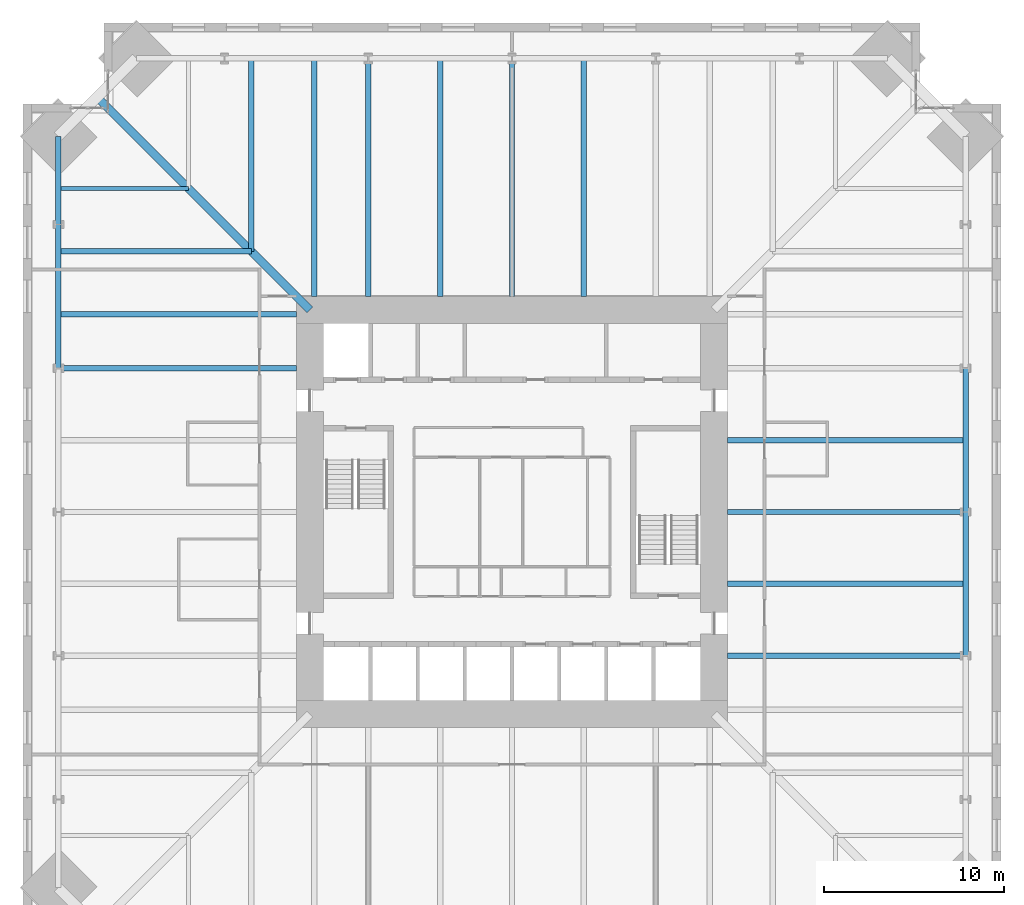
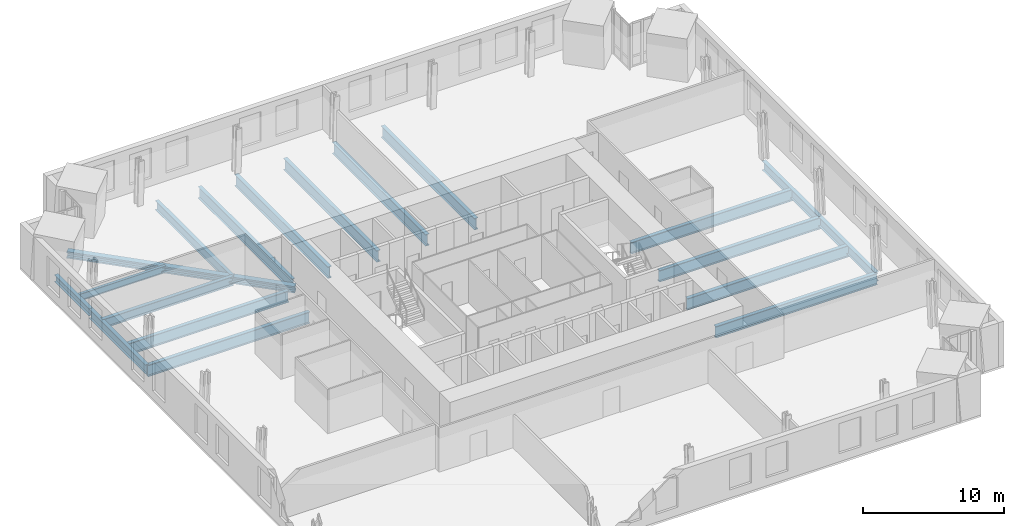
# One storey, part 5 of 16: 19 beams.
"""IFC4 building model written with IfcOpenShell, lengths in metres."""

import ifcopenshell
import ifcopenshell.guid

model = None  # the IFC model being written
_history = None  # IfcOwnerHistory: only IFC2X3 demands one
_inside = {}  # id of a spatial element -> (the spatial element, [elements in it])
_under = {}  # id of a project, library or spatial element -> (it, [spatial elements below it])
_declared = {}  # id of a project -> (the project, [libraries it declares])
_typed = {}  # id of a type object -> (the type object, [elements of that type])
_made_of = {}  # id of a material, layer set ... -> (it, [elements and type objects made of it])


def new_model(schema):
    """Start an empty IFC model of exactly this schema.

    Asked for "IFC4X3", IfcOpenShell would pick the latest addendum, in which some entities
    have other attributes; the version numbers below select the first issue.
    IFC2X3 requires an IfcOwnerHistory on every rooted entity: one is made here for all.
    """
    global model, _history
    if schema == "IFC4X3":
        model = ifcopenshell.file(schema_version=(4, 3, 0, 0))
    else:
        model = ifcopenshell.file(schema=schema)
    _inside.clear()
    _under.clear()
    _declared.clear()
    _typed.clear()
    _made_of.clear()
    _history = None
    if model.schema == "IFC2X3":
        org = make("IfcOrganization", Name="unknown")
        user = make(
            "IfcPersonAndOrganization",
            ThePerson=make("IfcPerson", FamilyName="unknown"),
            TheOrganization=org,
        )
        app = make(
            "IfcApplication",
            ApplicationDeveloper=org,
            Version="unknown",
            ApplicationFullName="unknown",
            ApplicationIdentifier="unknown",
        )
        _history = make(
            "IfcOwnerHistory",
            OwningUser=user,
            OwningApplication=app,
            ChangeAction="ADDED",
            CreationDate=0,
        )
    return model


def make(cls, **values):
    """One entity of the class cls with the attributes given. An attribute that is None is left unset."""
    return model.create_entity(
        cls, **{name: value for name, value in values.items() if value is not None}
    )


def rooted(cls, **values):
    """An entity with a GlobalId (a new one), such as an element, a storey or a relation."""
    return make(cls, GlobalId=ifcopenshell.guid.new(), OwnerHistory=_history, **values)


def si_unit(unit_type, name, prefix=None):
    """IfcSIUnit, for example si_unit("LENGTHUNIT", "METRE", prefix="MILLI")."""
    return make("IfcSIUnit", UnitType=unit_type, Prefix=prefix, Name=name)


def assignment(units):
    """IfcUnitAssignment: the units of a project."""
    return None if units is None else make("IfcUnitAssignment", Units=units)


def point(xyz):
    """IfcCartesianPoint."""
    return None if xyz is None else make("IfcCartesianPoint", Coordinates=xyz)


def direction(xyz):
    """IfcDirection."""
    return None if xyz is None else make("IfcDirection", DirectionRatios=xyz)


def frame(location, z_axis=None, x_axis=None):
    """IfcAxis2Placement3D, a coordinate frame: its origin and axes. An axis left out is left unset."""
    return make(
        "IfcAxis2Placement3D",
        Location=point(location),
        Axis=direction(z_axis),
        RefDirection=direction(x_axis),
    )


def frame_2d(location, x_axis=None):
    """IfcAxis2Placement2D, a coordinate frame in the plane: its origin and x axis."""
    return make(
        "IfcAxis2Placement2D", Location=point(location), RefDirection=direction(x_axis)
    )


def origin():
    """The frame at (0, 0, 0) with its axes left unset."""
    return frame((0.0, 0.0, 0.0))


def origin_2d():
    """The frame at (0, 0) in the plane with its x axis left unset."""
    return frame_2d((0.0, 0.0))


def place(relative_to, where):
    """IfcLocalPlacement: puts the frame where relative to a parent placement (None: the world)."""
    return make(
        "IfcLocalPlacement", PlacementRelTo=relative_to, RelativePlacement=where
    )


def context(
    kind, dimensions, precision=None, world=None, true_north=None, identifier=None
):
    """IfcGeometricRepresentationContext, for example the 3D "Model" context."""
    return make(
        "IfcGeometricRepresentationContext",
        ContextIdentifier=identifier,
        ContextType=kind,
        CoordinateSpaceDimension=dimensions,
        Precision=precision,
        WorldCoordinateSystem=world,
        TrueNorth=true_north,
    )


def subcontext(parent, identifier, kind, view, scale=None):
    """IfcGeometricRepresentationSubContext, for example "Body" below "Model"."""
    return make(
        "IfcGeometricRepresentationSubContext",
        ContextIdentifier=identifier,
        ContextType=kind,
        ParentContext=parent,
        TargetScale=scale,
        TargetView=view,
    )


def project(units=None, contexts=None):
    """IfcProject with its units and contexts."""
    return rooted(
        "IfcProject",
        Name="project",
        RepresentationContexts=contexts,
        UnitsInContext=assignment(units),
    )


def spatial(cls, under=None, at=None, **own):
    """A site, building, storey or space (cls), placed at a placement, below another one or the project."""
    s = rooted(cls, ObjectPlacement=at, **own)
    if under is not None:
        _under.setdefault(under.id(), (under, []))[1].append(s)
    return s


def profile(cls, at=None, kind="AREA", **sizes):
    """A parametric profile (cls). Its sizes go by their IFC names, for example OverallWidth=200.0."""
    return make(cls, ProfileType=kind, Position=at, **sizes)


def i_section(**sizes):
    """IfcIShapeProfileDef."""
    return profile("IfcIShapeProfileDef", **sizes)


def extrude(swept, where, along, depth):
    """IfcExtrudedAreaSolid: the profile swept, set in the frame where, extruded along a direction by depth."""
    return make(
        "IfcExtrudedAreaSolid",
        SweptArea=swept,
        Position=where,
        ExtrudedDirection=direction(along),
        Depth=depth,
    )


def shape(context_of_items, identifier, shape_type, items):
    """IfcShapeRepresentation: the items that make up one representation, for example the "Body"."""
    return make(
        "IfcShapeRepresentation",
        ContextOfItems=context_of_items,
        RepresentationIdentifier=identifier,
        RepresentationType=shape_type,
        Items=items,
    )


def material(Name=None, Category=None):
    """IfcMaterial."""
    return make("IfcMaterial", Name=Name, Category=Category)


def material_profile(
    of_material, cross_section, Name=None, Category=None, Priority=None
):
    """IfcMaterialProfile: a cross section and its material."""
    return make(
        "IfcMaterialProfile",
        Name=Name,
        Material=of_material,
        Profile=cross_section,
        Priority=Priority,
        Category=Category,
    )


def profile_set(profiles, Name=None, composite=None):
    """IfcMaterialProfileSet."""
    return make(
        "IfcMaterialProfileSet",
        Name=Name,
        MaterialProfiles=profiles,
        CompositeProfile=composite,
    )


def made_of(thing, what):
    """Note that an element or type object is made of a material, layer set ...; save() writes the relation."""
    if what is not None:
        _made_of.setdefault(what.id(), (what, []))[1].append(thing)
    return thing


def type_object(cls, material=None, **own):
    """A type object (cls), such as IfcWallType, which elements share."""
    return made_of(rooted(cls, **own), material)


def element(
    cls,
    number,
    at=None,
    inside=None,
    cuts=None,
    type_object=None,
    material=None,
    context=None,
    identifier="Body",
    shape_type=None,
    held_by="IfcProductDefinitionShape",
    body=None,
    shapes=None,
    **own,
):
    """One element of the class cls, such as IfcWall. Its Tag is "e" and its number.

    at: its placement. inside: the storey or other place that contains it. cuts: it is an
    opening in that element (IfcRelVoidsElement). A single representation is given by context,
    identifier, shape_type and body (its items); several are given by shapes. held_by: the class
    of the entity that holds the representations. save() writes the other relations.
    """
    e = rooted(cls, Tag="e%d" % number, ObjectPlacement=at, **own)
    if body is not None:
        shapes = [shape(context, identifier, shape_type, body)]
    if shapes is not None:
        e.Representation = make(held_by, Representations=shapes)
    if inside is not None:
        _inside.setdefault(inside.id(), (inside, []))[1].append(e)
    if cuts is not None:
        rooted(
            "IfcRelVoidsElement", RelatingBuildingElement=cuts, RelatedOpeningElement=e
        )
    if type_object is not None:
        _typed.setdefault(type_object.id(), (type_object, []))[1].append(e)
    return made_of(e, material)


def aggregate(whole, parts):
    """IfcRelAggregates: a whole, such as a stair, and the parts it consists of."""
    return rooted("IfcRelAggregates", RelatingObject=whole, RelatedObjects=parts)


def save(model, path):
    """Write the relations noted so far, then the file.

    IfcRelAggregates (storeys below a building ...), IfcRelContainedInSpatialStructure (elements
    in a storey), IfcRelDefinesByType, IfcRelAssociatesMaterial and IfcRelDeclares: one each for
    every whole, place, type object, material and project.
    """
    for whole, parts in _under.values():
        aggregate(whole, parts)
    for where, things in _inside.values():
        rooted(
            "IfcRelContainedInSpatialStructure",
            RelatedElements=things,
            RelatingStructure=where,
        )
    for kind, things in _typed.values():
        rooted("IfcRelDefinesByType", RelatedObjects=things, RelatingType=kind)
    for what, things in _made_of.values():
        rooted("IfcRelAssociatesMaterial", RelatedObjects=things, RelatingMaterial=what)
    for by, libraries in _declared.values():
        rooted("IfcRelDeclares", RelatingContext=by, RelatedDefinitions=libraries)
    model.write(path)


model = new_model("IFC4")

# Units and contexts
model_context = context("Model", 3, precision=1e-05, world=origin(), true_north=direction((0.0, 1.0)))
body_context = subcontext(model_context, "Body", "Model", "MODEL_VIEW")
ifc_project = project(units=[si_unit("LENGTHUNIT", "METRE"), si_unit("AREAUNIT", "SQUARE_METRE"), si_unit("VOLUMEUNIT", "CUBIC_METRE"), si_unit("PLANEANGLEUNIT", "RADIAN"), si_unit("MASSUNIT", "GRAM", prefix="KILO")], contexts=[model_context])

# Site, building, storey
site_placement = place(None, origin())
site = spatial("IfcSite", under=ifc_project, at=site_placement, CompositionType="ELEMENT")
building_placement = place(site_placement, origin())
building = spatial("IfcBuilding", under=site, at=building_placement, Name="Peilmerk Tower", CompositionType="ELEMENT")
storey_placement = place(building_placement, frame((0.0, 0.0, 139.800048828125)))
storey = spatial("IfcBuildingStorey", under=building, at=storey_placement, Name="L28", CompositionType="ELEMENT", Elevation=139.800048828125)

# Beams
ifc_material_1 = material(Name="Steel S355", Category="steel")
ifc_material_profile_1 = material_profile(ifc_material_1, i_section(OverallWidth=0.219970703125, OverallDepth=0.60009765625, WebThickness=0.011962890625, FlangeThickness=0.01904296875, at=origin_2d()), Name="IPE 600")
ifc_profile_set_1 = profile_set([ifc_material_profile_1], Name="Steel S355")
beam_type_1 = type_object("IfcBeamType", Name="B10 IPE 600 floor beam", PredefinedType="BEAM", material=ifc_profile_set_1)
beam_1_placement = place(storey_placement, frame((-18.0, 18.0, -0.469970703125), z_axis=(-1.0, 0.0, 0.0), x_axis=(0.0, -1.0, 0.0)))
element("IfcBeam", 1, at=beam_1_placement, inside=storey, type_object=beam_type_1, Name="Floor beam L28", PredefinedType="BEAM", context=body_context, shape_type="SweptSolid", body=[
    extrude(i_section(OverallWidth=0.219970703125, OverallDepth=0.60009765625, WebThickness=0.011962890625, FlangeThickness=0.01904296875, at=origin_2d()), origin(), (0.0, 0.0, 1.0), 7.259765625),
])
ifc_material_profile_2 = material_profile(ifc_material_1, i_section(OverallWidth=0.302978515625, OverallDepth=0.81396484375, WebThickness=0.02099609375, FlangeThickness=0.0400390625, at=origin_2d()), Name="HEM 800")
ifc_profile_set_2 = profile_set([ifc_material_profile_2], Name="Steel S355")
beam_type_2 = type_object("IfcBeamType", Name="B15 HEM 800 edge beam", PredefinedType="SPANDREL", material=ifc_profile_set_2)
for number, where, z_axis, x_axis, name in (
    (2, (25.259765625, -8.0, -0.5771484375), (0.0, 1.0, 0.0), (-1.0, 0.0, 0.0), "Edge beam L28"),
    (3, (25.259765625, 0.0, -0.5771484375), (0.0, 1.0, 0.0), (-1.0, 0.0, 0.0), "Edge beam L28"),
    (4, (-25.259765625, 16.0, -0.5771484375), (0.0, -1.0, 0.0), (1.0, 0.0, 0.0), "Edge beam L28"),
):
    element("IfcBeam", number, at=place(storey_placement, frame(where, z_axis=z_axis, x_axis=x_axis)), inside=storey, type_object=beam_type_2, Name=name, PredefinedType="SPANDREL", context=body_context, shape_type="SweptSolid", body=[
        extrude(i_section(OverallWidth=0.302978515625, OverallDepth=0.81396484375, WebThickness=0.02099609375, FlangeThickness=0.0400390625, at=origin_2d()), origin(), (0.0, 0.0, 1.0), 8.0),
    ])
ifc_material_profile_3 = material_profile(ifc_material_1, i_section(OverallWidth=0.300048828125, OverallDepth=0.7900390625, WebThickness=0.014892578125, FlangeThickness=0.028076171875, at=origin_2d()), Name="HEA 800")
ifc_profile_set_3 = profile_set([ifc_material_profile_3], Name="Steel S355")
beam_type_3 = type_object("IfcBeamType", Name="B3 HEA 800 floor beam", PredefinedType="BEAM", material=ifc_profile_set_3)
for number, where, z_axis, x_axis, name in (
    (5, (-14.5, 14.5, -0.56494140625), (0.0, 1.0, 0.0), (-1.0, 0.0, 0.0), "Floor beam L28"),
    (6, (-14.5, 14.5, -0.56494140625), (-1.0, 0.0, 0.0), (0.0, -1.0, 0.0), "Floor beam L28"),
):
    element("IfcBeam", number, at=place(storey_placement, frame(where, z_axis=z_axis, x_axis=x_axis)), inside=storey, type_object=beam_type_3, Name=name, PredefinedType="BEAM", context=body_context, shape_type="SweptSolid", body=[
        extrude(i_section(OverallWidth=0.300048828125, OverallDepth=0.7900390625, WebThickness=0.014892578125, FlangeThickness=0.028076171875, at=origin_2d()), origin(), (0.0, 0.0, 1.0), 10.759765625),
    ])
ifc_material_profile_4 = material_profile(ifc_material_1, i_section(OverallWidth=0.304931640625, OverallDepth=0.6201171875, WebThickness=0.02099609375, FlangeThickness=0.0400390625, at=origin_2d()), Name="HEM 600")
ifc_profile_set_4 = profile_set([ifc_material_profile_4], Name="Steel S355")
beam_type_4 = type_object("IfcBeamType", Name="B31 HEM 600 edge beam", PredefinedType="SPANDREL", material=ifc_profile_set_4)
beam_2_placement = place(storey_placement, frame((-25.259765625, 20.90966796875, -0.47998046875), z_axis=(0.0, -1.0, 0.0), x_axis=(1.0, 0.0, 0.0)))
element("IfcBeam", 7, at=beam_2_placement, inside=storey, type_object=beam_type_4, Name="Edge beam L28", PredefinedType="SPANDREL", context=body_context, shape_type="SweptSolid", body=[
    extrude(i_section(OverallWidth=0.304931640625, OverallDepth=0.6201171875, WebThickness=0.02099609375, FlangeThickness=0.0400390625, at=origin_2d()), origin(), (0.0, 0.0, 1.0), 4.90966796875),
])
ifc_material_profile_5 = material_profile(ifc_material_1, i_section(OverallWidth=0.300048828125, OverallDepth=1.0, WebThickness=0.01904296875, FlangeThickness=0.035888671875, at=origin_2d()), Name="HEB 1000")
ifc_profile_set_5 = profile_set([ifc_material_profile_5], Name="Steel S355")
beam_type_5 = type_object("IfcBeamType", Name="B5 HEB 1000 floor girder", PredefinedType="BEAM", material=ifc_profile_set_5)
for number, where, z_axis, x_axis, name in (
    (8, (4.0, 12.0, -0.670166015625), (0.0, 1.0, 0.0), (-1.0, 0.0, 0.0), "Floor beam L28"),
    (9, (0.0, 12.0, -0.670166015625), (0.0, 1.0, 0.0), (-1.0, 0.0, 0.0), "Floor beam L28"),
    (10, (-4.0, 12.0, -0.670166015625), (0.0, 1.0, 0.0), (-1.0, 0.0, 0.0), "Floor beam L28"),
    (11, (-8.0, 12.0, -0.670166015625), (0.0, 1.0, 0.0), (-1.0, 0.0, 0.0), "Floor beam L28"),
    (12, (-11.0, 12.0, -0.670166015625), (0.0, 1.0, 0.0), (-1.0, 0.0, 0.0), "Floor beam L28"),
    (13, (12.0, -8.0, -0.670166015625), (1.0, 0.0, 0.0), (0.0, 1.0, 0.0), "Floor beam L28"),
    (14, (12.0, -4.0, -0.670166015625), (1.0, 0.0, 0.0), (0.0, 1.0, 0.0), "Floor beam L28"),
    (15, (12.0, 0.0, -0.670166015625), (1.0, 0.0, 0.0), (0.0, 1.0, 0.0), "Floor beam L28"),
    (16, (12.0, 4.0, -0.670166015625), (1.0, 0.0, 0.0), (0.0, 1.0, 0.0), "Floor beam L28"),
    (17, (-12.0, 11.0, -0.670166015625), (-1.0, 0.0, 0.0), (0.0, -1.0, 0.0), "Floor beam L28"),
    (18, (-12.0, 8.0, -0.670166015625), (-1.0, 0.0, 0.0), (0.0, -1.0, 0.0), "Floor beam L28"),
):
    element("IfcBeam", number, at=place(storey_placement, frame(where, z_axis=z_axis, x_axis=x_axis)), inside=storey, type_object=beam_type_5, Name=name, PredefinedType="BEAM", context=body_context, shape_type="SweptSolid", body=[
        extrude(i_section(OverallWidth=0.300048828125, OverallDepth=1.0, WebThickness=0.01904296875, FlangeThickness=0.035888671875, at=origin_2d()), origin(), (0.0, 0.0, 1.0), 13.259765625),
    ])
ifc_material_2 = material(Name="Steel S460", Category="steel")
ifc_material_profile_6 = material_profile(ifc_material_2, i_section(OverallWidth=0.4541015625, OverallDepth=0.569091796875, WebThickness=0.077880859375, FlangeThickness=0.125, at=origin_2d()), Name="HD 400x1086")
ifc_profile_set_6 = profile_set([ifc_material_profile_6], Name="Steel S460")
beam_type_6 = type_object("IfcBeamType", Name="B9 HD 400x1086 corner girder", PredefinedType="BEAM", material=ifc_profile_set_6)
beam_3_placement = place(storey_placement, frame((-11.25, 11.25, -0.45458984375), z_axis=(-0.707106781187, 0.707106781187, 0.0), x_axis=(-0.707106781187, -0.707106781187, 0.0)))
element("IfcBeam", 19, at=beam_3_placement, inside=storey, type_object=beam_type_6, Name="Corner girder L28", PredefinedType="BEAM", context=body_context, shape_type="SweptSolid", body=[
    extrude(i_section(OverallWidth=0.4541015625, OverallDepth=0.569091796875, WebThickness=0.077880859375, FlangeThickness=0.125, at=origin_2d()), origin(), (0.0, 0.0, 1.0), 16.73681640625),
])

save(model, "model.ifc")
